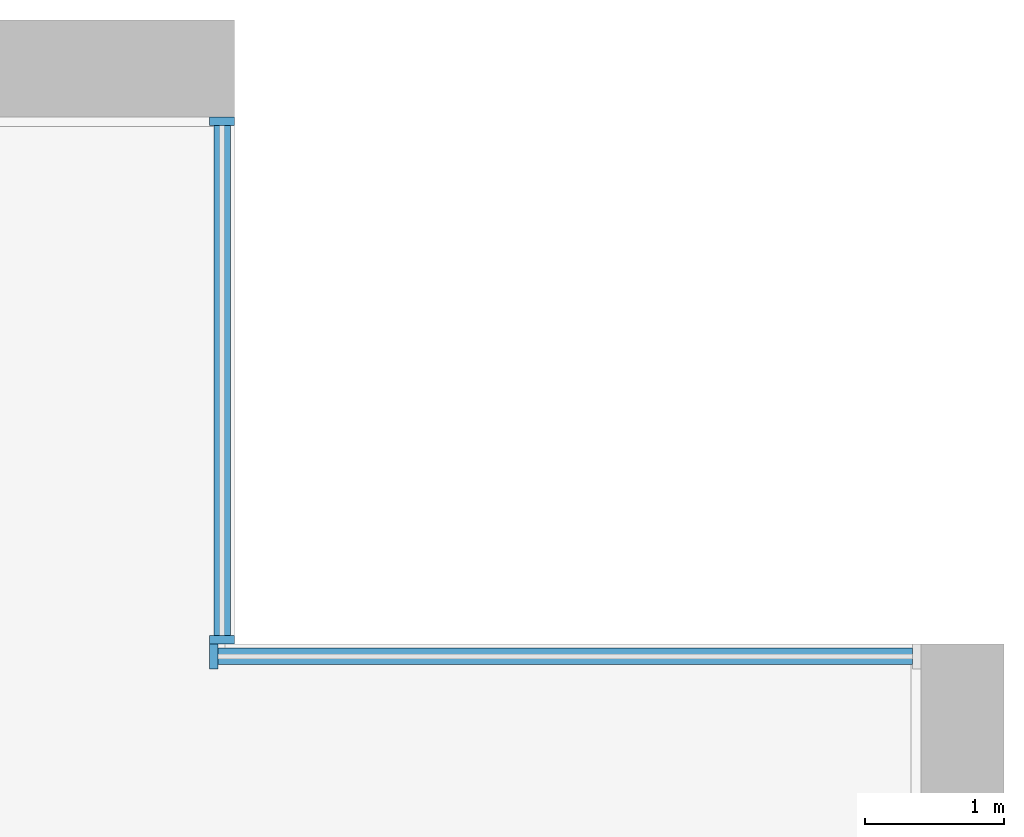
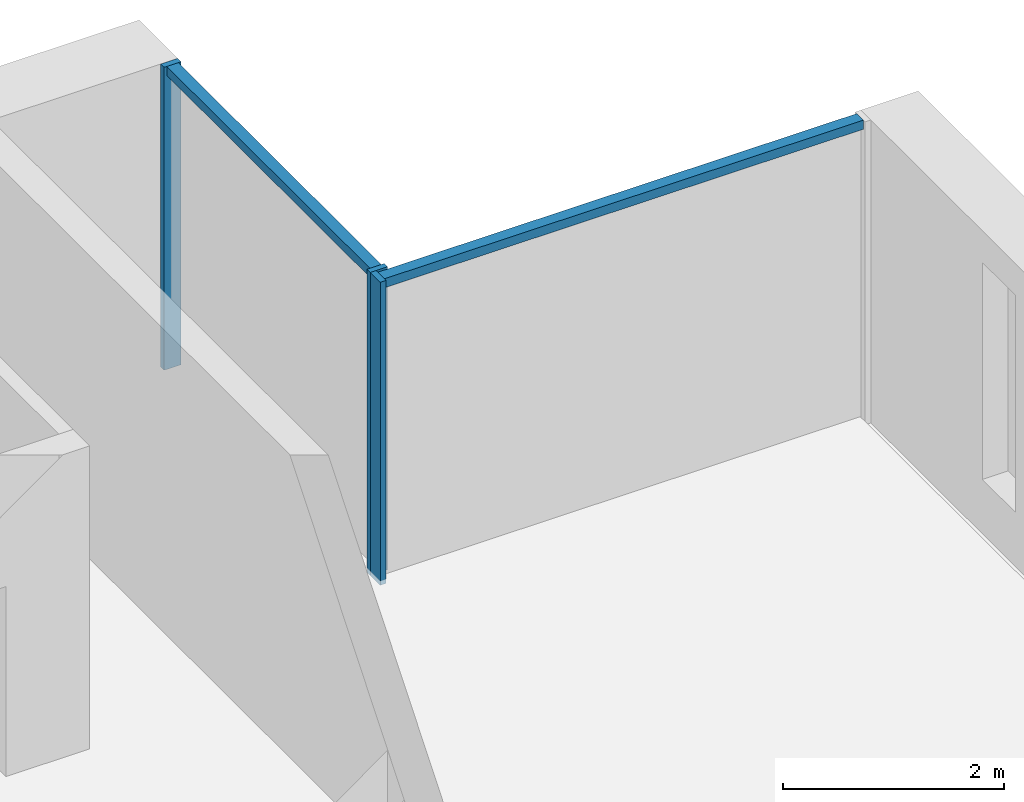
# One storey, part 5 of 17: 5 members, 2 elements without a shape of their own.
"""IFC4 building model written with IfcOpenShell, lengths in metres."""

from ifc_helpers import new_model, si_unit, direction, frame, origin, origin_2d, place, context, subcontext, project, spatial, rectangle, extrude, material, material_profile, profile_set, type_object, element, aggregate, save


model = new_model("IFC4")

# Units and contexts
model_context = context("Model", 3, precision=1e-05, world=origin(), true_north=direction((0.0, 1.0)))
body_context = subcontext(model_context, "Body", "Model", "MODEL_VIEW")
ifc_project = project(units=[si_unit("LENGTHUNIT", "METRE"), si_unit("AREAUNIT", "SQUARE_METRE"), si_unit("VOLUMEUNIT", "CUBIC_METRE"), si_unit("PLANEANGLEUNIT", "RADIAN"), si_unit("MASSUNIT", "GRAM", prefix="KILO")], contexts=[model_context])

# Site, building, storey
site_placement = place(None, origin())
site = spatial("IfcSite", under=ifc_project, at=site_placement, CompositionType="ELEMENT")
building_placement = place(site_placement, origin())
building = spatial("IfcBuilding", under=site, at=building_placement, Name="Calvaro Tower", CompositionType="ELEMENT")
storey_placement = place(building_placement, frame((0.0, 0.0, 215.5)))
storey = spatial("IfcBuildingStorey", under=building, at=storey_placement, Name="L54", CompositionType="ELEMENT", Elevation=215.5)

# Curtain wall, members
ifc_material_1 = material(Name="Anodised aluminium", Category="aluminium")
curtain_wall_type = type_object("IfcCurtainWallType", Name="Office curtain wall, upper zone", PredefinedType="NOTDEFINED", material=ifc_material_1)
curtain_wall_1_placement = place(storey_placement, origin())
curtain_wall_1 = element("IfcCurtainWall", 1, at=curtain_wall_1_placement, inside=storey, type_object=curtain_wall_type, Name="CW3 corner curtain wall", PredefinedType="NOTDEFINED")
ifc_material_2 = material(Name="Anodised aluminium", Category="aluminium")
ifc_material_profile_1 = material_profile(ifc_material_2, rectangle(XDim=0.179931640625, YDim=0.06005859375, at=origin_2d()), Name="Mullion S3 60 x 180")
ifc_profile_set_1 = profile_set([ifc_material_profile_1], Name="Anodised aluminium")
member_type_1 = type_object("IfcMemberType", Name="Mullion S3 60 x 180", PredefinedType="MULLION", material=ifc_profile_set_1)
member_1_placement = place(storey_placement, frame((66.360107421875, 41.530029296875, 0.0), z_axis=(0.0, 0.0, 1.0), x_axis=(-1.0, 0.0, 0.0)))
member_1 = element("IfcMember", 2, at=member_1_placement, type_object=member_type_1, Name="CW3 mullion 1", PredefinedType="MULLION", context=body_context, shape_type="SweptSolid", body=[
    extrude(rectangle(XDim=0.179931640625, YDim=0.06005859375, at=origin_2d()), origin(), (0.0, 0.0, 1.0), 3.35009765625),
])
member_2_placement = place(storey_placement, frame((66.360107421875, 45.27001953125, 0.0), z_axis=(0.0, 0.0, 1.0), x_axis=(-1.0, 0.0, 0.0)))
member_2 = element("IfcMember", 3, at=member_2_placement, type_object=member_type_1, Name="CW3 mullion 2", PredefinedType="MULLION", context=body_context, shape_type="SweptSolid", body=[
    extrude(rectangle(XDim=0.179931640625, YDim=0.06005859375, at=origin_2d()), origin(), (0.0, 0.0, 1.0), 3.35009765625),
])

# Curtain wall, member
curtain_wall_2_placement = place(storey_placement, origin())
curtain_wall_2 = element("IfcCurtainWall", 4, at=curtain_wall_2_placement, inside=storey, type_object=curtain_wall_type, Name="CW3 corner curtain wall", PredefinedType="NOTDEFINED")
member_3_placement = place(storey_placement, frame((66.300048828125, 41.409912109375, 0.0), z_axis=(0.0, 0.0, 1.0), x_axis=(0.0, 1.0, 0.0)))
member_3 = element("IfcMember", 5, at=member_3_placement, type_object=member_type_1, Name="CW3 mullion 1", PredefinedType="MULLION", context=body_context, shape_type="SweptSolid", body=[
    extrude(rectangle(XDim=0.179931640625, YDim=0.06005859375, at=origin_2d()), origin(), (0.0, 0.0, 1.0), 3.35009765625),
])

# Member
ifc_material_3 = material(Name="Anodised aluminium", Category="aluminium")
ifc_material_profile_2 = material_profile(ifc_material_3, rectangle(XDim=0.1201171875, YDim=0.10009765625, at=origin_2d()), Name="Transom S3 100 x 120")
ifc_profile_set_2 = profile_set([ifc_material_profile_2], Name="Anodised aluminium")
member_type_2 = type_object("IfcMemberType", Name="Transom S3 100 x 120", PredefinedType="USERDEFINED", material=ifc_profile_set_2)
member_4_placement = place(storey_placement, frame((66.360107421875, 41.56005859375, 3.300048828125), z_axis=(0.0, 1.0, 0.0), x_axis=(-1.0, 0.0, 0.0)))
member_4 = element("IfcMember", 6, at=member_4_placement, type_object=member_type_2, Name="CW3 transom 1.1", ObjectType="TRANSOM", PredefinedType="USERDEFINED", context=body_context, shape_type="SweptSolid", body=[
    extrude(rectangle(XDim=0.1201171875, YDim=0.10009765625, at=origin_2d()), origin(), (0.0, 0.0, 1.0), 3.679931640625),
])

aggregate(curtain_wall_1, [member_1, member_2, member_4])

member_5_placement = place(storey_placement, frame((66.330078125, 41.409912109375, 3.300048828125), z_axis=(1.0, 0.0, 0.0), x_axis=(0.0, 1.0, 0.0)))
member_5 = element("IfcMember", 7, at=member_5_placement, type_object=member_type_2, Name="CW3 transom 1.1", ObjectType="TRANSOM", PredefinedType="USERDEFINED", context=body_context, shape_type="SweptSolid", body=[
    extrude(rectangle(XDim=0.1201171875, YDim=0.10009765625, at=origin_2d()), origin(), (0.0, 0.0, 1.0), 5.010009765625),
])

aggregate(curtain_wall_2, [member_3, member_5])

save(model, "model.ifc")
